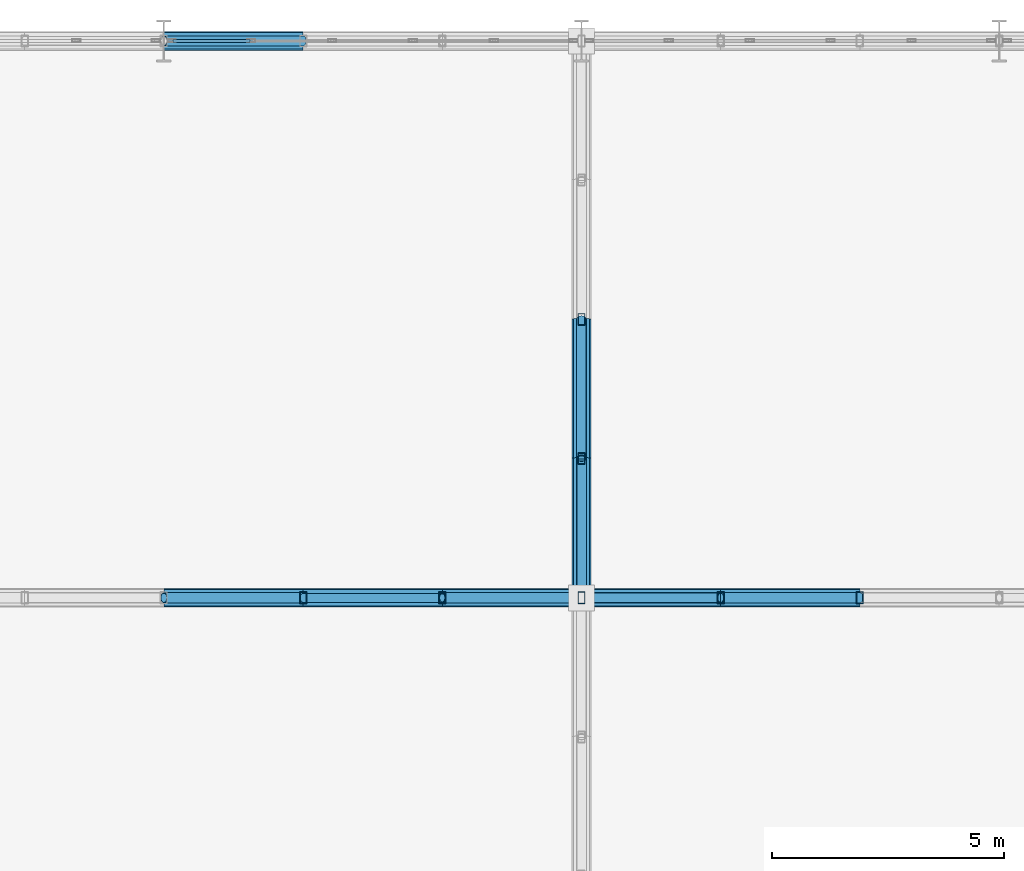
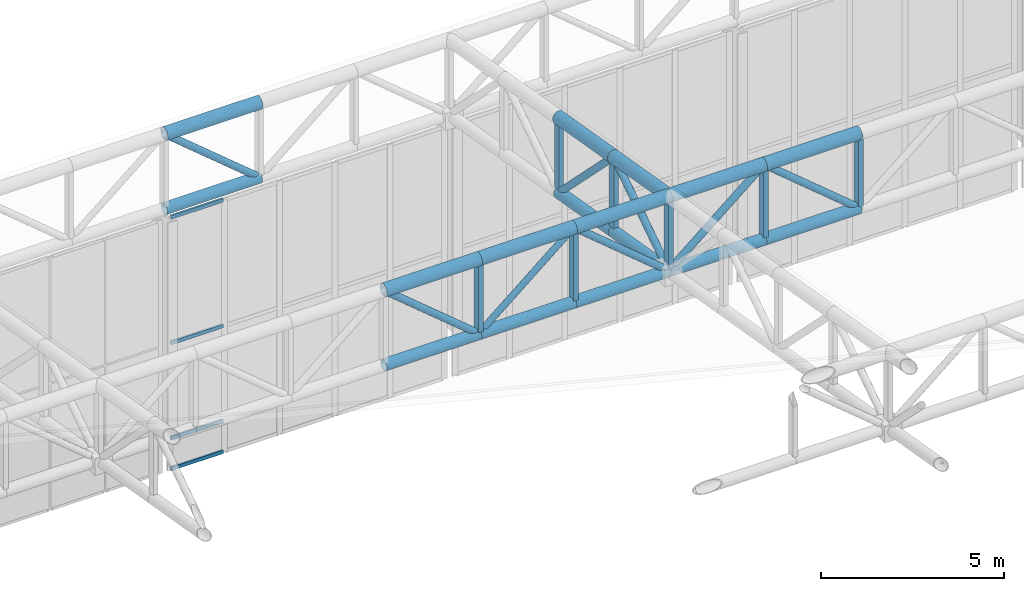
# One storey, part 122 of 239: 35 members, 1 element without a shape of its own.
"""IFC4 building model written with IfcOpenShell, lengths in metres."""

from ifc_helpers import new_model, si_unit, direction, frame, origin, origin_2d, place, context, subcontext, project, spatial, hollow_rectangle, hollow_circle, extrude, material, material_profile, profile_set, type_object, element, aggregate, save


model = new_model("IFC4")

# Units and contexts
model_context = context("Model", 3, precision=1e-05, world=origin(), true_north=direction((0.0, 1.0)))
body_context = subcontext(model_context, "Body", "Model", "MODEL_VIEW")
ifc_project = project(units=[si_unit("LENGTHUNIT", "METRE"), si_unit("AREAUNIT", "SQUARE_METRE"), si_unit("VOLUMEUNIT", "CUBIC_METRE"), si_unit("PLANEANGLEUNIT", "RADIAN"), si_unit("MASSUNIT", "GRAM", prefix="KILO")], contexts=[model_context])

# Site, building, storey
site_placement = place(None, origin())
site = spatial("IfcSite", under=ifc_project, at=site_placement, CompositionType="ELEMENT")
building_placement = place(site_placement, origin())
building = spatial("IfcBuilding", under=site, at=building_placement, Name="Kaldris Quays Convention Centre", CompositionType="ELEMENT")
storey_placement = place(building_placement, frame((0.0, 0.0, 11.39990234375)))
storey = spatial("IfcBuildingStorey", under=building, at=storey_placement, Name="L02", CompositionType="ELEMENT", Elevation=11.39990234375)

# Curtain wall, members
ifc_material_1 = material(Name="Anodized aluminium AW-6060 and triple glazing", Category="aluminium")
curtain_wall_type = type_object("IfcCurtainWallType", Name="UNITISED CURTAIN WALL CW03", PredefinedType="NOTDEFINED", material=ifc_material_1)
curtain_wall_placement = place(storey_placement, origin())
curtain_wall = element("IfcCurtainWall", 1, at=curtain_wall_placement, inside=storey, type_object=curtain_wall_type, Name="L02 Unitised Curtain Wall CW03 242", PredefinedType="NOTDEFINED")
ifc_material_2 = material(Name="Anodized aluminium AW-6060", Category="aluminium")
ifc_material_profile_1 = material_profile(ifc_material_2, hollow_rectangle(XDim=0.06005859375, YDim=0.1201171875, WallThickness=0.00390625, at=origin_2d()), Name="RHS 120x60x4")
ifc_profile_set_1 = profile_set([ifc_material_profile_1], Name="Anodized aluminium AW-6060")
member_type_1 = type_object("IfcMemberType", Name="CURTAIN TRANSOM CWT1", PredefinedType="USERDEFINED", material=ifc_profile_set_1)
member_1_placement = place(storey_placement, frame((83.199951171875, 140.0, -1.574951171875), z_axis=(1.0, 0.0, 0.0), x_axis=(0.0, 1.0, 0.0)))
member_1 = element("IfcMember", 2, at=member_1_placement, type_object=member_type_1, Name="CW03 transom 1.1", ObjectType="TRANSOM", PredefinedType="USERDEFINED", context=body_context, shape_type="SweptSolid", body=[
    extrude(hollow_rectangle(XDim=0.06005859375, YDim=0.1201171875, WallThickness=0.00390625, at=origin_2d()), origin(), (0.0, 0.0, 1.0), 1.654052734375),
])
member_2_placement = place(storey_placement, frame((83.199951171875, 140.0, -0.554931640625), z_axis=(1.0, 0.0, 0.0), x_axis=(0.0, 1.0, 0.0)))
member_2 = element("IfcMember", 3, at=member_2_placement, type_object=member_type_1, Name="CW03 transom 1.2", ObjectType="TRANSOM", PredefinedType="USERDEFINED", context=body_context, shape_type="SweptSolid", body=[
    extrude(hollow_rectangle(XDim=0.06005859375, YDim=0.1201171875, WallThickness=0.00390625, at=origin_2d()), origin(), (0.0, 0.0, 1.0), 1.654052734375),
])
member_3_placement = place(storey_placement, frame((83.199951171875, 140.0, 2.623046875), z_axis=(1.0, 0.0, 0.0), x_axis=(0.0, 1.0, 0.0)))
member_3 = element("IfcMember", 4, at=member_3_placement, type_object=member_type_1, Name="CW03 transom 1.3", ObjectType="TRANSOM", PredefinedType="USERDEFINED", context=body_context, shape_type="SweptSolid", body=[
    extrude(hollow_rectangle(XDim=0.06005859375, YDim=0.1201171875, WallThickness=0.00390625, at=origin_2d()), origin(), (0.0, 0.0, 1.0), 1.654052734375),
])
member_4_placement = place(storey_placement, frame((83.199951171875, 140.0, 6.820068359375), z_axis=(1.0, 0.0, 0.0), x_axis=(0.0, 1.0, 0.0)))
member_4 = element("IfcMember", 5, at=member_4_placement, type_object=member_type_1, Name="CW03 transom 1.4", ObjectType="TRANSOM", PredefinedType="USERDEFINED", context=body_context, shape_type="SweptSolid", body=[
    extrude(hollow_rectangle(XDim=0.06005859375, YDim=0.1201171875, WallThickness=0.00390625, at=origin_2d()), origin(), (0.0, 0.0, 1.0), 1.654052734375),
])
aggregate(curtain_wall, [member_1, member_2, member_3, member_4])

# Members
ifc_material_3 = material(Name="Steel S355J2H", Category="steel")
ifc_material_profile_2 = material_profile(ifc_material_3, hollow_circle(Radius=0.203125, WallThickness=0.01611328125, at=origin_2d()), Name="CHS 406.4x16")
ifc_profile_set_2 = profile_set([ifc_material_profile_2], Name="Steel S355J2H")
member_type_2 = type_object("IfcMemberType", Name="STRUCTURAL MEMBER SC01", PredefinedType="CHORD", material=ifc_profile_set_2)
for number, where, z_axis, x_axis, name in (
    (6, (83.0, 128.0, 11.72900390625), (1.0, 0.0, 0.0), (0.0, 1.0, 0.0), "SF-V1 Top Chord X 274"),
    (7, (86.0, 128.0, 11.72900390625), (1.0, 0.0, 0.0), (0.0, 1.0, 0.0), "SF-V1 Top Chord X 275"),
    (8, (89.0, 128.0, 11.72900390625), (1.0, 0.0, 0.0), (0.0, 1.0, 0.0), "SF-V1 Top Chord X 276"),
    (9, (92.0, 128.0, 11.72900390625), (1.0, 0.0, 0.0), (0.0, 1.0, 0.0), "SF-V1 Top Chord X 277"),
    (10, (95.0, 128.0, 11.72900390625), (1.0, 0.0, 0.0), (0.0, 1.0, 0.0), "SF-V1 Top Chord X 278"),
    (11, (83.0, 140.0, 9.671875), (1.0, 0.0, 0.0), (0.0, 1.0, 0.0), "SF-V1 Top Chord X 316"),
):
    element("IfcMember", number, at=place(storey_placement, frame(where, z_axis=z_axis, x_axis=x_axis)), inside=storey, type_object=member_type_2, Name=name, PredefinedType="CHORD", context=body_context, shape_type="SweptSolid", body=[
        extrude(hollow_circle(Radius=0.203125, WallThickness=0.01611328125, at=origin_2d()), origin(), (0.0, 0.0, 1.0), 3.0),
    ])
for number, where, z_axis, x_axis, name in (
    (12, (92.0, 128.0, 11.72900390625), (0.0, 0.98562912375, -0.168923741424), (-1.0, 0.0, 0.0), "SF-V1 Top Chord Y 473"),
    (13, (92.0, 131.0, 11.21484375), (0.0, 0.985615766076, -0.169001661712), (-1.0, 0.0, 0.0), "SF-V1 Top Chord Y 474"),
):
    element("IfcMember", number, at=place(storey_placement, frame(where, z_axis=z_axis, x_axis=x_axis)), inside=storey, type_object=member_type_2, Name=name, PredefinedType="CHORD", context=body_context, shape_type="SweptSolid", body=[
        extrude(hollow_circle(Radius=0.203125, WallThickness=0.01611328125, at=origin_2d()), origin(), (0.0, 0.0, 1.0), 3.043701171875),
    ])
ifc_material_profile_3 = material_profile(ifc_material_3, hollow_circle(Radius=0.177734375, WallThickness=0.01611328125, at=origin_2d()), Name="CHS 355.6x16")
ifc_profile_set_3 = profile_set([ifc_material_profile_3], Name="Steel S355J2H")
member_type_3 = type_object("IfcMemberType", Name="STRUCTURAL MEMBER SC02", PredefinedType="CHORD", material=ifc_profile_set_3)
for number, where, z_axis, x_axis, name in (
    (14, (83.0, 128.0, 9.22900390625), (1.0, 0.0, 0.0), (0.0, 1.0, 0.0), "SF-V1 Bottom Chord X 274"),
    (15, (86.0, 128.0, 9.22900390625), (1.0, 0.0, 0.0), (0.0, 1.0, 0.0), "SF-V1 Bottom Chord X 275"),
    (16, (89.0, 128.0, 9.22900390625), (1.0, 0.0, 0.0), (0.0, 1.0, 0.0), "SF-V1 Bottom Chord X 276"),
    (17, (92.0, 128.0, 9.22900390625), (1.0, 0.0, 0.0), (0.0, 1.0, 0.0), "SF-V1 Bottom Chord X 277"),
    (18, (95.0, 128.0, 9.22900390625), (1.0, 0.0, 0.0), (0.0, 1.0, 0.0), "SF-V1 Bottom Chord X 278"),
    (19, (83.0, 140.0, 7.171875), (1.0, 0.0, 0.0), (0.0, 1.0, 0.0), "SF-V1 Bottom Chord X 316"),
):
    element("IfcMember", number, at=place(storey_placement, frame(where, z_axis=z_axis, x_axis=x_axis)), inside=storey, type_object=member_type_3, Name=name, PredefinedType="CHORD", context=body_context, shape_type="SweptSolid", body=[
        extrude(hollow_circle(Radius=0.177734375, WallThickness=0.01611328125, at=origin_2d()), origin(), (0.0, 0.0, 1.0), 3.0),
    ])
for number, where, z_axis, x_axis, name in (
    (20, (92.0, 128.0, 9.22900390625), (0.0, 0.98562912375, -0.168923741424), (-1.0, 0.0, 0.0), "SF-V1 Bottom Chord Y 473"),
    (21, (92.0, 131.0, 8.71484375), (0.0, 0.985615766076, -0.169001661712), (-1.0, 0.0, 0.0), "SF-V1 Bottom Chord Y 474"),
):
    element("IfcMember", number, at=place(storey_placement, frame(where, z_axis=z_axis, x_axis=x_axis)), inside=storey, type_object=member_type_3, Name=name, PredefinedType="CHORD", context=body_context, shape_type="SweptSolid", body=[
        extrude(hollow_circle(Radius=0.177734375, WallThickness=0.01611328125, at=origin_2d()), origin(), (0.0, 0.0, 1.0), 3.043701171875),
    ])
ifc_material_profile_4 = material_profile(ifc_material_3, hollow_circle(Radius=0.109619140625, WallThickness=0.010009765625, at=origin_2d()), Name="CHS 219.1x10")
ifc_profile_set_4 = profile_set([ifc_material_profile_4], Name="Steel S355J2H")
member_type_4 = type_object("IfcMemberType", Name="STRUCTURAL MEMBER SWB1", PredefinedType="BRACE", material=ifc_profile_set_4)
for number, where, z_axis, x_axis, name in (
    (22, (86.0, 128.0, 9.22900390625), (-0.768221279597, 0.0, 0.640184399664), (0.0, -1.0, 0.0), "SF-V1 Web Diagonal X 274"),
    (23, (92.0, 128.0, 9.22900390625), (-0.768221279597, 0.0, 0.640184399664), (0.0, -1.0, 0.0), "SF-V1 Web Diagonal X 276"),
    (24, (92.0, 128.0, 9.22900390625), (0.768221279597, 0.0, 0.640184399664), (0.0, 1.0, 0.0), "SF-V1 Web Diagonal X 277"),
    (25, (98.0, 128.0, 9.22900390625), (-0.768221279597, 0.0, 0.640184399664), (0.0, -1.0, 0.0), "SF-V1 Web Diagonal X 278"),
    (26, (86.0, 140.0, 7.171875), (-0.768221279597, 0.0, 0.640184399664), (0.0, -1.0, 0.0), "SF-V1 Web Diagonal X 316"),
):
    element("IfcMember", number, at=place(storey_placement, frame(where, z_axis=z_axis, x_axis=x_axis)), inside=storey, type_object=member_type_4, Name=name, PredefinedType="BRACE", context=body_context, shape_type="SweptSolid", body=[
        extrude(hollow_circle(Radius=0.109619140625, WallThickness=0.010009765625, at=origin_2d()), origin(), (0.0, 0.0, 1.0), 3.905029296875),
    ])
member_5_placement = place(storey_placement, frame((92.0, 128.0, 9.22900390625), z_axis=(0.0, 0.833862389808, 0.551972385962), x_axis=(-1.0, 0.0, 0.0)))
element("IfcMember", 27, at=member_5_placement, inside=storey, type_object=member_type_4, Name="SF-V1 Web Diagonal Y 473", PredefinedType="BRACE", context=body_context, shape_type="SweptSolid", body=[
    extrude(hollow_circle(Radius=0.109619140625, WallThickness=0.010009765625, at=origin_2d()), origin(), (0.0, 0.0, 1.0), 3.59765625),
])
member_6_placement = place(storey_placement, frame((92.0, 134.0, 8.200439453125), z_axis=(0.0, -0.705411261057, 0.708798245465), x_axis=(1.0, 0.0, 0.0)))
element("IfcMember", 28, at=member_6_placement, inside=storey, type_object=member_type_4, Name="SF-V1 Web Diagonal Y 474", PredefinedType="BRACE", context=body_context, shape_type="SweptSolid", body=[
    extrude(hollow_circle(Radius=0.109619140625, WallThickness=0.010009765625, at=origin_2d()), origin(), (0.0, 0.0, 1.0), 4.2529296875),
])
ifc_material_profile_5 = material_profile(ifc_material_3, hollow_circle(Radius=0.096923828125, WallThickness=0.008056640625, at=origin_2d()), Name="CHS 193.7x8")
ifc_profile_set_5 = profile_set([ifc_material_profile_5], Name="Steel S355J2H")
member_type_5 = type_object("IfcMemberType", Name="STRUCTURAL MEMBER SWB3", PredefinedType="BRACE", material=ifc_profile_set_5)
member_7_placement = place(storey_placement, frame((86.0, 128.0, 9.22900390625), z_axis=(0.768221279597, 0.0, 0.640184399664), x_axis=(0.0, 1.0, 0.0)))
element("IfcMember", 29, at=member_7_placement, inside=storey, type_object=member_type_5, Name="SF-V1 Web Diagonal X 275", PredefinedType="BRACE", context=body_context, shape_type="SweptSolid", body=[
    extrude(hollow_circle(Radius=0.096923828125, WallThickness=0.008056640625, at=origin_2d()), origin(), (0.0, 0.0, 1.0), 3.905029296875),
])
ifc_material_profile_6 = material_profile(ifc_material_3, hollow_rectangle(XDim=0.14990234375, YDim=0.25, WallThickness=0.010009765625, at=origin_2d()), Name="RHS 250x150x10")
ifc_profile_set_6 = profile_set([ifc_material_profile_6], Name="Steel S355J2H")
member_type_6 = type_object("IfcMemberType", Name="STRUCTURAL MEMBER TTV1", PredefinedType="POST", material=ifc_profile_set_6)
for number, where, z_axis, x_axis, name in (
    (30, (86.0, 128.0, 9.22900390625), (0.0, 0.0, 1.0), (1.0, 0.0, 0.0), "SF-V1 Space-Frame Post 267"),
    (31, (89.0, 128.0, 9.22900390625), (0.0, 0.0, 1.0), (1.0, 0.0, 0.0), "SF-V1 Space-Frame Post 275"),
    (32, (92.0, 128.0, 9.22900390625), (0.0, 0.0, 1.0), (1.0, 0.0, 0.0), "SF-V1 Space-Frame Post 301"),
    (33, (92.0, 131.0, 8.71484375), (0.0, 0.0, 1.0), (1.0, 0.0, 0.0), "SF-V1 Space-Frame Post 302"),
    (34, (92.0, 134.0, 8.200439453125), (0.0, 0.0, 1.0), (1.0, 0.0, 0.0), "SF-V1 Space-Frame Post 303"),
    (35, (95.0, 128.0, 9.22900390625), (0.0, 0.0, 1.0), (1.0, 0.0, 0.0), "SF-V1 Space-Frame Post 312"),
    (36, (98.0, 128.0, 9.22900390625), (0.0, 0.0, 1.0), (1.0, 0.0, 0.0), "SF-V1 Space-Frame Post 320"),
):
    element("IfcMember", number, at=place(storey_placement, frame(where, z_axis=z_axis, x_axis=x_axis)), inside=storey, type_object=member_type_6, Name=name, PredefinedType="POST", context=body_context, shape_type="SweptSolid", body=[
        extrude(hollow_rectangle(XDim=0.14990234375, YDim=0.25, WallThickness=0.010009765625, at=origin_2d()), origin(), (0.0, 0.0, 1.0), 2.5),
    ])

save(model, "model.ifc")
